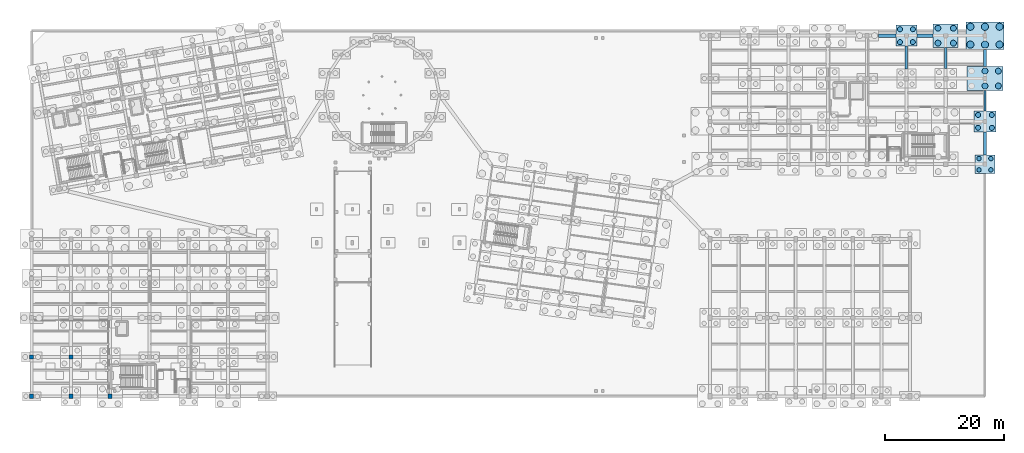
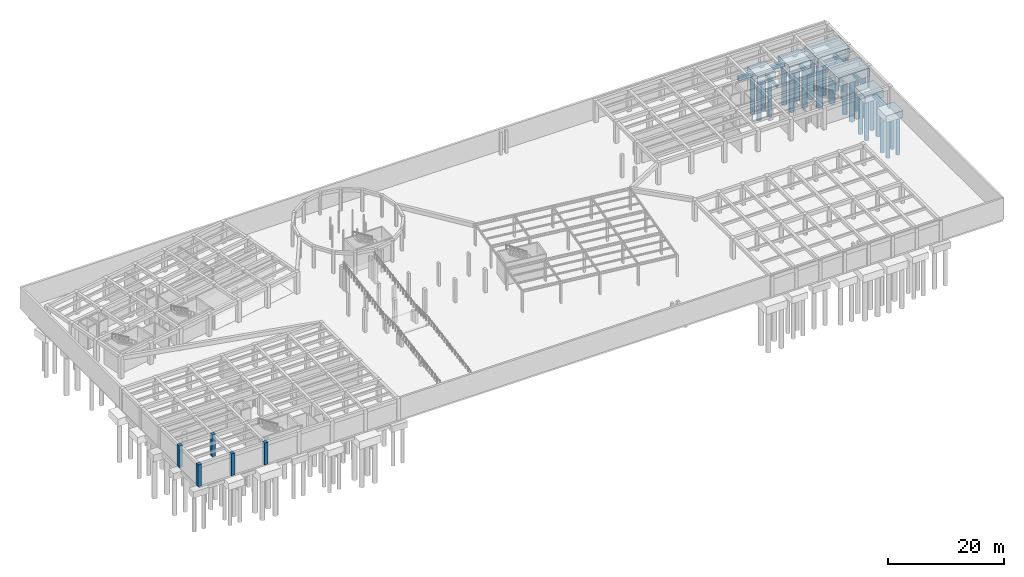
# One storey, part 10 of 34: 26 piles, 13 footings, 5 columns.
"""IFC4 building model written with IfcOpenShell, lengths in metres."""

from ifc_helpers import new_model, si_unit, direction, frame, origin, origin_2d, place, context, subcontext, project, spatial, rectangle, circle, extrude, material, material_profile, profile_set, type_object, element, save


model = new_model("IFC4")

# Units and contexts
model_context = context("Model", 3, precision=1e-05, world=origin(), true_north=direction((0.0, 1.0)))
body_context = subcontext(model_context, "Body", "Model", "MODEL_VIEW")
ifc_project = project(units=[si_unit("LENGTHUNIT", "METRE"), si_unit("AREAUNIT", "SQUARE_METRE"), si_unit("VOLUMEUNIT", "CUBIC_METRE"), si_unit("PLANEANGLEUNIT", "RADIAN"), si_unit("MASSUNIT", "GRAM", prefix="KILO")], contexts=[model_context])

# Site, building, storey
site_placement = place(None, origin())
site = spatial("IfcSite", under=ifc_project, at=site_placement, CompositionType="ELEMENT")
building_placement = place(site_placement, origin())
building = spatial("IfcBuilding", under=site, at=building_placement, Name="Kharisveld Research Institute", CompositionType="ELEMENT")
storey_placement = place(building_placement, frame((0.0, 0.0, -4.800048828125)))
storey = spatial("IfcBuildingStorey", under=building, at=storey_placement, Name="B1", CompositionType="ELEMENT", Elevation=-4.800048828125)

# Footings
ifc_material_1 = material(Name="Concrete C35/45", Category="concrete")
ifc_material_profile_1 = material_profile(ifc_material_1, rectangle(XDim=0.449951171875, YDim=0.64990234375, at=origin_2d()))
ifc_profile_set_1 = profile_set([ifc_material_profile_1], Name="Concrete C35/45")
footing_type_1 = type_object("IfcFootingType", Name="GB_01", PredefinedType="FOOTING_BEAM", material=ifc_profile_set_1)
footing_1_placement = place(storey_placement, frame((154.199951171875, 55.300048828125, -0.77490234375), z_axis=(0.0, 1.0, 0.0), x_axis=(-1.0, 0.0, 0.0)))
element("IfcFooting", 1, at=footing_1_placement, inside=storey, type_object=footing_type_1, Name="FTG:GB:V2:V6_2", PredefinedType="FOOTING_BEAM", context=body_context, shape_type="SweptSolid", body=[
    extrude(rectangle(XDim=0.449951171875, YDim=0.64990234375, at=origin_2d()), origin(), (0.0, 0.0, 1.0), 3.550048828125),
])
ifc_material_2 = material(Name="Concrete C35/45", Category="concrete")
ifc_material_profile_2 = material_profile(ifc_material_2, rectangle(XDim=0.5, YDim=0.75, at=origin_2d()))
ifc_profile_set_2 = profile_set([ifc_material_profile_2], Name="Concrete C35/45")
footing_type_2 = type_object("IfcFootingType", Name="GB_02", PredefinedType="FOOTING_BEAM", material=ifc_profile_set_2)
footing_2_placement = place(storey_placement, frame((160.800048828125, 55.60009765625, -0.824951171875), z_axis=(0.0, 1.0, 0.0), x_axis=(-1.0, 0.0, 0.0)))
element("IfcFooting", 2, at=footing_2_placement, inside=storey, type_object=footing_type_2, Name="FTG:GB:V2:V7_2", PredefinedType="FOOTING_BEAM", context=body_context, shape_type="SweptSolid", body=[
    extrude(rectangle(XDim=0.5, YDim=0.75, at=origin_2d()), origin(), (0.0, 0.0, 1.0), 2.89990234375),
])
ifc_material_3 = material(Name="Concrete C35/45", Category="concrete")
ifc_material_profile_3 = material_profile(ifc_material_3, rectangle(XDim=0.550048828125, YDim=0.85009765625, at=origin_2d()))
ifc_profile_set_3 = profile_set([ifc_material_profile_3], Name="Concrete C35/45")
footing_type_3 = type_object("IfcFootingType", Name="GB_03", PredefinedType="FOOTING_BEAM", material=ifc_profile_set_3)
footing_3_placement = place(storey_placement, frame((142.949951171875, 60.800048828125, -0.875), z_axis=(1.0, 0.0, 0.0), x_axis=(0.0, 1.0, 0.0)))
element("IfcFooting", 3, at=footing_3_placement, inside=storey, type_object=footing_type_3, Name="FTG:GB:V2:U4_3", PredefinedType="FOOTING_BEAM", context=body_context, shape_type="SweptSolid", body=[
    extrude(rectangle(XDim=0.550048828125, YDim=0.85009765625, at=origin_2d()), origin(), (0.0, 0.0, 1.0), 2.875),
])
footing_4_placement = place(storey_placement, frame((160.800048828125, 40.75, -0.875), z_axis=(0.0, 1.0, 0.0), x_axis=(-1.0, 0.0, 0.0)))
element("IfcFooting", 4, at=footing_4_placement, inside=storey, type_object=footing_type_3, Name="FTG:GB:V2:V7_0", PredefinedType="FOOTING_BEAM", context=body_context, shape_type="SweptSolid", body=[
    extrude(rectangle(XDim=0.550048828125, YDim=0.85009765625, at=origin_2d()), origin(), (0.0, 0.0, 1.0), 3.89990234375),
])
ifc_material_4 = material(Name="Concrete C35/45", Category="concrete")
ifc_material_profile_4 = material_profile(ifc_material_4, rectangle(XDim=0.60009765625, YDim=0.89990234375, at=origin_2d()))
ifc_profile_set_4 = profile_set([ifc_material_profile_4], Name="Concrete C35/45")
footing_type_4 = type_object("IfcFootingType", Name="GB_04", PredefinedType="FOOTING_BEAM", material=ifc_profile_set_4)
footing_5_placement = place(storey_placement, frame((149.375, 60.800048828125, -0.89990234375), z_axis=(1.0, 0.0, 0.0), x_axis=(0.0, 1.0, 0.0)))
element("IfcFooting", 5, at=footing_5_placement, inside=storey, type_object=footing_type_4, Name="FTG:GB:V2:U5_3", PredefinedType="FOOTING_BEAM", context=body_context, shape_type="SweptSolid", body=[
    extrude(rectangle(XDim=0.60009765625, YDim=0.89990234375, at=origin_2d()), origin(), (0.0, 0.0, 1.0), 2.72509765625),
])
ifc_material_5 = material(Name="Concrete C35/45", Category="concrete")
ifc_material_profile_5 = material_profile(ifc_material_5, rectangle(XDim=0.39990234375, YDim=0.60009765625, at=origin_2d()))
ifc_profile_set_5 = profile_set([ifc_material_profile_5], Name="Concrete C35/45")
footing_type_5 = type_object("IfcFootingType", Name="GB_05", PredefinedType="FOOTING_BEAM", material=ifc_profile_set_5)
footing_6_placement = place(storey_placement, frame((147.60009765625, 55.199951171875, -0.75), z_axis=(0.0, 1.0, 0.0), x_axis=(-1.0, 0.0, 0.0)))
element("IfcFooting", 6, at=footing_6_placement, inside=storey, type_object=footing_type_5, Name="FTG:GB:V2:V5_2", PredefinedType="FOOTING_BEAM", context=body_context, shape_type="SweptSolid", body=[
    extrude(rectangle(XDim=0.39990234375, YDim=0.60009765625, at=origin_2d()), origin(), (0.0, 0.0, 1.0), 3.824951171875),
])
footing_7_placement = place(storey_placement, frame((160.800048828125, 48.14990234375, -0.75), z_axis=(0.0, 1.0, 0.0), x_axis=(-1.0, 0.0, 0.0)))
element("IfcFooting", 7, at=footing_7_placement, inside=storey, type_object=footing_type_5, Name="FTG:GB:V2:V7_1", PredefinedType="FOOTING_BEAM", context=body_context, shape_type="SweptSolid", body=[
    extrude(rectangle(XDim=0.39990234375, YDim=0.60009765625, at=origin_2d()), origin(), (0.0, 0.0, 1.0), 3.4501953125),
])
ifc_material_6 = material(Name="Concrete C35/45", Category="concrete")
footing_type_6 = type_object("IfcFootingType", Name="PC_4P_B", PredefinedType="PILE_CAP", material=ifc_material_6)
footing_8_placement = place(storey_placement, frame((147.60009765625, 60.800048828125, -1.949951171875), z_axis=(0.0, 0.0, 1.0), x_axis=(1.0, 0.0, 0.0)))
element("IfcFooting", 8, at=footing_8_placement, inside=storey, type_object=footing_type_6, Name="FTG:V2:U5V3", PredefinedType="PILE_CAP", context=body_context, shape_type="SweptSolid", body=[
    extrude(rectangle(XDim=3.550048828125, YDim=3.550048828125, at=origin_2d()), origin(), (0.0, 0.0, 1.0), 1.5),
])
ifc_material_7 = material(Name="Concrete C35/45", Category="concrete")
footing_type_7 = type_object("IfcFootingType", Name="PC_4P_F", PredefinedType="PILE_CAP", material=ifc_material_7)
footing_9_placement = place(storey_placement, frame((154.199951171875, 60.800048828125, -2.099853515625), z_axis=(0.0, 0.0, 1.0), x_axis=(1.0, 0.0, 0.0)))
element("IfcFooting", 9, at=footing_9_placement, inside=storey, type_object=footing_type_7, Name="FTG:V2:U6V3", PredefinedType="PILE_CAP", context=body_context, shape_type="SweptSolid", body=[
    extrude(rectangle(XDim=4.199951171875, YDim=3.89990234375, at=origin_2d()), origin(), (0.0, 0.0, 1.0), 1.64990234375),
])
ifc_material_8 = material(Name="Concrete C35/45", Category="concrete")
footing_type_8 = type_object("IfcFootingType", Name="PC_4P_G", PredefinedType="PILE_CAP", material=ifc_material_8)
footing_10_placement = place(storey_placement, frame((160.800048828125, 39.199951171875, -1.869873046875), z_axis=(0.0, 0.0, 1.0), x_axis=(1.0, 0.0, 0.0)))
element("IfcFooting", 10, at=footing_10_placement, inside=storey, type_object=footing_type_8, Name="FTG:V2:U7V0", PredefinedType="PILE_CAP", context=body_context, shape_type="SweptSolid", body=[
    extrude(rectangle(XDim=3.35009765625, YDim=3.10009765625, at=origin_2d()), origin(), (0.0, 0.0, 1.0), 1.419921875),
])
ifc_material_9 = material(Name="Concrete C35/45", Category="concrete")
footing_type_9 = type_object("IfcFootingType", Name="PC_4P_H", PredefinedType="PILE_CAP", material=ifc_material_9)
footing_11_placement = place(storey_placement, frame((160.800048828125, 46.39990234375, -1.969970703125), z_axis=(0.0, 0.0, 1.0), x_axis=(1.0, 0.0, 0.0)))
element("IfcFooting", 11, at=footing_11_placement, inside=storey, type_object=footing_type_9, Name="FTG:V2:U7V1", PredefinedType="PILE_CAP", context=body_context, shape_type="SweptSolid", body=[
    extrude(rectangle(XDim=3.75, YDim=3.5, at=origin_2d()), origin(), (0.0, 0.0, 1.0), 1.52001953125),
])
ifc_material_10 = material(Name="Concrete C35/45", Category="concrete")
footing_type_10 = type_object("IfcFootingType", Name="PC_6P_A", PredefinedType="PILE_CAP", material=ifc_material_10)
footing_12_placement = place(storey_placement, frame((160.800048828125, 53.60009765625, -2.199951171875), z_axis=(0.0, 0.0, 1.0), x_axis=(1.0, 0.0, 0.0)))
element("IfcFooting", 12, at=footing_12_placement, inside=storey, type_object=footing_type_10, Name="FTG:V2:U7V2", PredefinedType="PILE_CAP", context=body_context, shape_type="SweptSolid", body=[
    extrude(rectangle(XDim=6.10009765625, YDim=4.0, at=origin_2d()), origin(), (0.0, 0.0, 1.0), 1.75),
])
ifc_material_11 = material(Name="Concrete C35/45", Category="concrete")
footing_type_11 = type_object("IfcFootingType", Name="PC_6P_B", PredefinedType="PILE_CAP", material=ifc_material_11)
footing_13_placement = place(storey_placement, frame((160.800048828125, 60.800048828125, -2.300048828125), z_axis=(0.0, 0.0, 1.0), x_axis=(1.0, 0.0, 0.0)))
element("IfcFooting", 13, at=footing_13_placement, inside=storey, type_object=footing_type_11, Name="FTG:V2:U7V3", PredefinedType="PILE_CAP", context=body_context, shape_type="SweptSolid", body=[
    extrude(rectangle(XDim=6.39990234375, YDim=4.60009765625, at=origin_2d()), origin(), (0.0, 0.0, 1.0), 1.85009765625),
])

# Piles
ifc_material_12 = material(Name="Concrete C40/50", Category="concrete")
ifc_material_profile_6 = material_profile(ifc_material_12, circle(Radius=0.5, at=origin_2d()))
ifc_profile_set_6 = profile_set([ifc_material_profile_6], Name="Concrete C40/50")
pile_type_1 = type_object("IfcPileType", Name="PILE_D1000", PredefinedType="BORED", material=ifc_profile_set_6)
for number, where, z_axis, x_axis, name in (
    (14, (152.89990234375, 59.550048828125, -2.0), (0.0, 0.0, -1.0), (1.0, 0.0, 0.0), "PILE:V2:U6V3:P1"),
    (15, (155.5, 59.550048828125, -2.0), (0.0, 0.0, -1.0), (1.0, 0.0, 0.0), "PILE:V2:U6V3:P2"),
    (16, (155.5, 62.050048828125, -2.0), (0.0, 0.0, -1.0), (1.0, 0.0, 0.0), "PILE:V2:U6V3:P3"),
    (17, (152.89990234375, 62.050048828125, -2.0), (0.0, 0.0, -1.0), (1.0, 0.0, 0.0), "PILE:V2:U6V3:P4"),
):
    element("IfcPile", number, at=place(storey_placement, frame(where, z_axis=z_axis, x_axis=x_axis)), inside=storey, type_object=pile_type_1, Name=name, PredefinedType="BORED", context=body_context, shape_type="SweptSolid", body=[
        extrude(circle(Radius=0.5, at=origin_2d()), origin(), (0.0, 0.0, 1.0), 8.5),
    ])
for number, where, z_axis, x_axis, name in (
    (18, (160.800048828125, 52.35009765625, -2.099853515625), (0.0, 0.0, -1.0), (1.0, 0.0, 0.0), "PILE:V2:U7V2:P2"),
    (19, (163.050048828125, 52.35009765625, -2.099853515625), (0.0, 0.0, -1.0), (1.0, 0.0, 0.0), "PILE:V2:U7V2:P3"),
    (20, (160.800048828125, 54.85009765625, -2.099853515625), (0.0, 0.0, -1.0), (1.0, 0.0, 0.0), "PILE:V2:U7V2:P5"),
    (21, (163.050048828125, 54.85009765625, -2.099853515625), (0.0, 0.0, -1.0), (1.0, 0.0, 0.0), "PILE:V2:U7V2:P6"),
):
    element("IfcPile", number, at=place(storey_placement, frame(where, z_axis=z_axis, x_axis=x_axis)), inside=storey, type_object=pile_type_1, Name=name, PredefinedType="BORED", context=body_context, shape_type="SweptSolid", body=[
        extrude(circle(Radius=0.5, at=origin_2d()), origin(), (0.0, 0.0, 1.0), 8.800048828125),
    ])
ifc_material_13 = material(Name="Concrete C40/50", Category="concrete")
ifc_material_profile_7 = material_profile(ifc_material_13, circle(Radius=0.60009765625, at=origin_2d()))
ifc_profile_set_7 = profile_set([ifc_material_profile_7], Name="Concrete C40/50")
pile_type_2 = type_object("IfcPileType", Name="PILE_D1200", PredefinedType="BORED", material=ifc_profile_set_7)
for number, where, z_axis, x_axis, name in (
    (22, (158.35009765625, 59.300048828125, -2.199951171875), (0.0, 0.0, -1.0), (1.0, 0.0, 0.0), "PILE:V2:U7V3:P1"),
    (23, (160.800048828125, 59.300048828125, -2.199951171875), (0.0, 0.0, -1.0), (1.0, 0.0, 0.0), "PILE:V2:U7V3:P2"),
    (24, (163.25, 59.300048828125, -2.199951171875), (0.0, 0.0, -1.0), (1.0, 0.0, 0.0), "PILE:V2:U7V3:P3"),
    (25, (158.35009765625, 62.300048828125, -2.199951171875), (0.0, 0.0, -1.0), (1.0, 0.0, 0.0), "PILE:V2:U7V3:P4"),
    (26, (160.800048828125, 62.300048828125, -2.199951171875), (0.0, 0.0, -1.0), (1.0, 0.0, 0.0), "PILE:V2:U7V3:P5"),
    (27, (163.25, 62.300048828125, -2.199951171875), (0.0, 0.0, -1.0), (1.0, 0.0, 0.0), "PILE:V2:U7V3:P6"),
):
    element("IfcPile", number, at=place(storey_placement, frame(where, z_axis=z_axis, x_axis=x_axis)), inside=storey, type_object=pile_type_2, Name=name, PredefinedType="BORED", context=body_context, shape_type="SweptSolid", body=[
        extrude(circle(Radius=0.60009765625, at=origin_2d()), origin(), (0.0, 0.0, 1.0), 9.10009765625),
    ])
ifc_material_14 = material(Name="Concrete C40/50", Category="concrete")
ifc_material_profile_8 = material_profile(ifc_material_14, circle(Radius=0.375, at=origin_2d()))
ifc_profile_set_8 = profile_set([ifc_material_profile_8], Name="Concrete C40/50")
pile_type_3 = type_object("IfcPileType", Name="PILE_D750", PredefinedType="BORED", material=ifc_profile_set_8)
for number, where, z_axis, x_axis, name in (
    (28, (159.800048828125, 38.25, -1.77001953125), (0.0, 0.0, -1.0), (1.0, 0.0, 0.0), "PILE:V2:U7V0:P1"),
    (29, (161.800048828125, 38.25, -1.77001953125), (0.0, 0.0, -1.0), (1.0, 0.0, 0.0), "PILE:V2:U7V0:P2"),
    (30, (161.800048828125, 40.14990234375, -1.77001953125), (0.0, 0.0, -1.0), (1.0, 0.0, 0.0), "PILE:V2:U7V0:P3"),
    (31, (159.800048828125, 40.14990234375, -1.77001953125), (0.0, 0.0, -1.0), (1.0, 0.0, 0.0), "PILE:V2:U7V0:P4"),
):
    element("IfcPile", number, at=place(storey_placement, frame(where, z_axis=z_axis, x_axis=x_axis)), inside=storey, type_object=pile_type_3, Name=name, PredefinedType="BORED", context=body_context, shape_type="SweptSolid", body=[
        extrude(circle(Radius=0.375, at=origin_2d()), origin(), (0.0, 0.0, 1.0), 7.949951171875),
    ])
ifc_material_15 = material(Name="Concrete C40/50", Category="concrete")
ifc_material_profile_9 = material_profile(ifc_material_15, circle(Radius=0.425048828125, at=origin_2d()))
ifc_profile_set_9 = profile_set([ifc_material_profile_9], Name="Concrete C40/50")
pile_type_4 = type_object("IfcPileType", Name="PILE_D850", PredefinedType="BORED", material=ifc_profile_set_9)
for number, where, z_axis, x_axis, name in (
    (32, (146.52001953125, 59.719970703125, -1.849853515625), (0.0, 0.0, -1.0), (1.0, 0.0, 0.0), "PILE:V2:U5V3:P1"),
    (33, (148.679931640625, 59.719970703125, -1.849853515625), (0.0, 0.0, -1.0), (1.0, 0.0, 0.0), "PILE:V2:U5V3:P2"),
    (34, (148.679931640625, 61.8798828125, -1.849853515625), (0.0, 0.0, -1.0), (1.0, 0.0, 0.0), "PILE:V2:U5V3:P3"),
    (35, (146.52001953125, 61.8798828125, -1.849853515625), (0.0, 0.0, -1.0), (1.0, 0.0, 0.0), "PILE:V2:U5V3:P4"),
):
    element("IfcPile", number, at=place(storey_placement, frame(where, z_axis=z_axis, x_axis=x_axis)), inside=storey, type_object=pile_type_4, Name=name, PredefinedType="BORED", context=body_context, shape_type="SweptSolid", body=[
        extrude(circle(Radius=0.425048828125, at=origin_2d()), origin(), (0.0, 0.0, 1.0), 8.300048828125),
    ])
for number, where, z_axis, x_axis, name in (
    (36, (159.64990234375, 45.320068359375, -1.869873046875), (0.0, 0.0, -1.0), (1.0, 0.0, 0.0), "PILE:V2:U7V1:P1"),
    (37, (161.949951171875, 45.320068359375, -1.869873046875), (0.0, 0.0, -1.0), (1.0, 0.0, 0.0), "PILE:V2:U7V1:P2"),
    (38, (161.949951171875, 47.47998046875, -1.869873046875), (0.0, 0.0, -1.0), (1.0, 0.0, 0.0), "PILE:V2:U7V1:P3"),
    (39, (159.64990234375, 47.47998046875, -1.869873046875), (0.0, 0.0, -1.0), (1.0, 0.0, 0.0), "PILE:V2:U7V1:P4"),
):
    element("IfcPile", number, at=place(storey_placement, frame(where, z_axis=z_axis, x_axis=x_axis)), inside=storey, type_object=pile_type_4, Name=name, PredefinedType="BORED", context=body_context, shape_type="SweptSolid", body=[
        extrude(circle(Radius=0.425048828125, at=origin_2d()), origin(), (0.0, 0.0, 1.0), 8.35009765625),
    ])

# Columns
ifc_material_16 = material(Name="Concrete C40/50", Category="concrete")
ifc_material_profile_10 = material_profile(ifc_material_16, rectangle(XDim=0.699951171875, YDim=0.699951171875, at=origin_2d()))
ifc_profile_set_10 = profile_set([ifc_material_profile_10], Name="Concrete C40/50")
column_type = type_object("IfcColumnType", Name="COL_RC_700", PredefinedType="COLUMN", material=ifc_profile_set_10)
for number, where, z_axis, x_axis, name in (
    (40, (0.60009765625, 0.199951171875, 0.0), (0.0, 0.0, 1.0), (1.0, 0.0, 0.0), "COL:V3:B1:U0V0"),
    (41, (0.60009765625, 6.800048828125, 0.0), (0.0, 0.0, 1.0), (1.0, 0.0, 0.0), "COL:V3:B1:U0V1"),
    (42, (7.199951171875, 0.199951171875, 0.0), (0.0, 0.0, 1.0), (1.0, 0.0, 0.0), "COL:V3:B1:U1V0"),
    (43, (7.199951171875, 6.800048828125, 0.0), (0.0, 0.0, 1.0), (1.0, 0.0, 0.0), "COL:V3:B1:U1V1"),
    (44, (13.800048828125, 0.199951171875, 0.0), (0.0, 0.0, 1.0), (1.0, 0.0, 0.0), "COL:V3:B1:U2V0"),
):
    element("IfcColumn", number, at=place(storey_placement, frame(where, z_axis=z_axis, x_axis=x_axis)), inside=storey, type_object=column_type, Name=name, PredefinedType="COLUMN", context=body_context, shape_type="SweptSolid", body=[
        extrude(rectangle(XDim=0.699951171875, YDim=0.699951171875, at=origin_2d()), origin(), (0.0, 0.0, 1.0), 4.60009765625),
    ])

save(model, "model.ifc")
